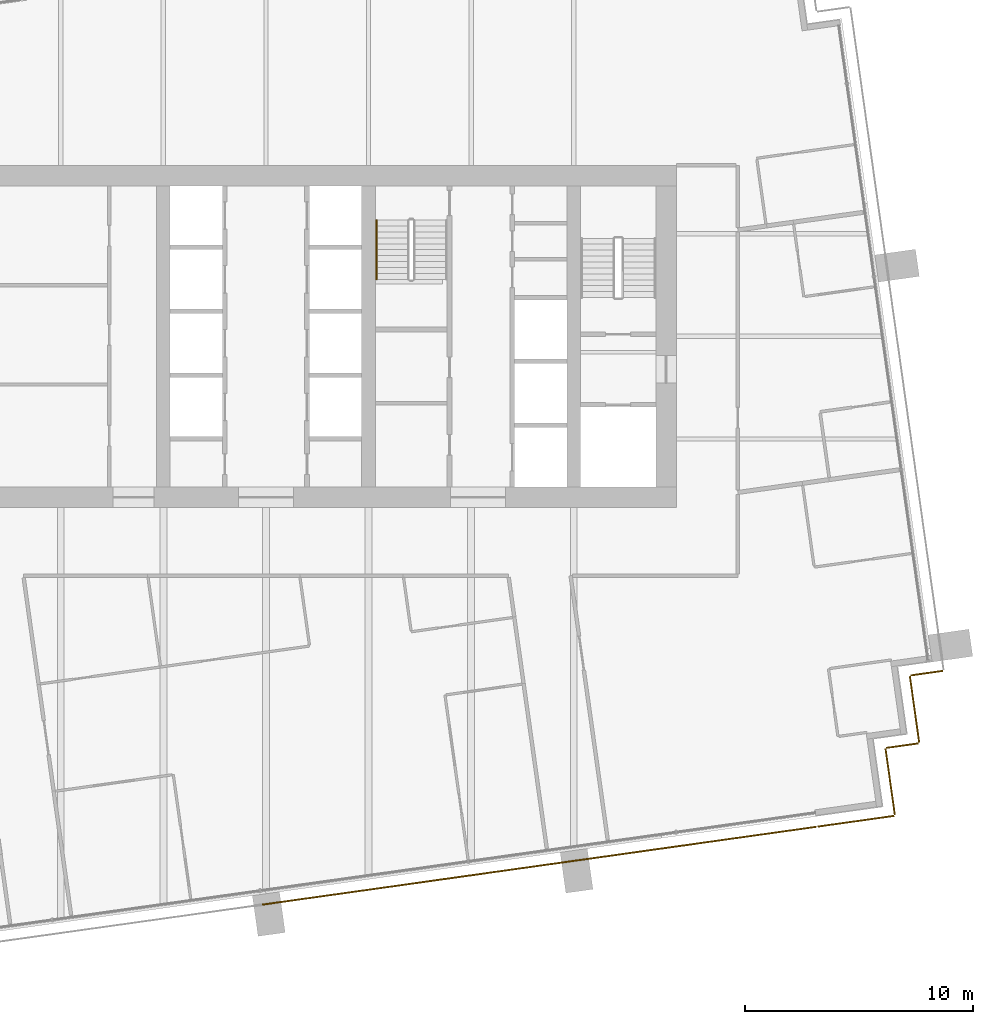
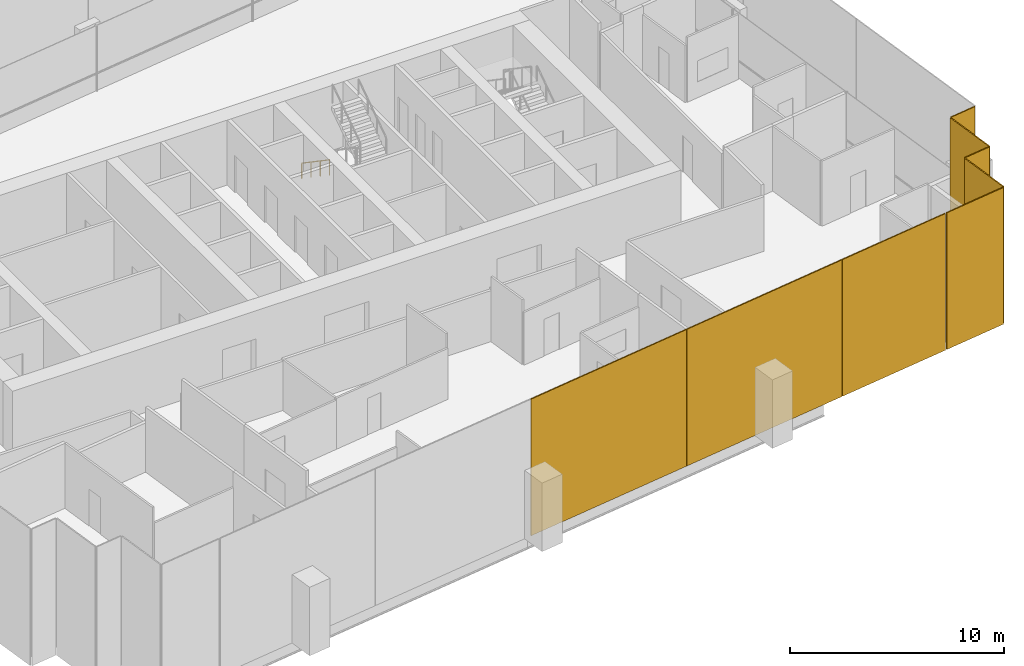
# One storey, part 14 of 17: 8 coverings, 1 railing.
"""IFC4 building model written with IfcOpenShell, lengths in metres."""

from ifc_helpers import new_model, si_unit, direction, frame, origin, origin_2d, place, context, subcontext, project, spatial, rectangle, extrude, material, layer, layer_set, type_object, element, save


model = new_model("IFC4")

# Units and contexts
model_context = context("Model", 3, precision=1e-05, world=origin(), true_north=direction((0.0, 1.0)))
body_context = subcontext(model_context, "Body", "Model", "MODEL_VIEW")
ifc_project = project(units=[si_unit("LENGTHUNIT", "METRE"), si_unit("AREAUNIT", "SQUARE_METRE"), si_unit("VOLUMEUNIT", "CUBIC_METRE"), si_unit("PLANEANGLEUNIT", "RADIAN"), si_unit("MASSUNIT", "GRAM", prefix="KILO")], contexts=[model_context])

# Site, building, storey
site_placement = place(None, origin())
site = spatial("IfcSite", under=ifc_project, at=site_placement, CompositionType="ELEMENT")
building_placement = place(site_placement, origin())
building = spatial("IfcBuilding", under=site, at=building_placement, Name="Rattan Terrace Tower", CompositionType="ELEMENT")
storey_placement = place(building_placement, frame((0.0, 0.0, 180.199951171875)))
storey = spatial("IfcBuildingStorey", under=building, at=storey_placement, Name="L41", CompositionType="ELEMENT", Elevation=180.199951171875)

# Railing
ifc_material_1 = material(Name="Powder-coated steel handrail", Category="steel")
railing_type = type_object("IfcRailingType", Name="Core stair handrail", PredefinedType="HANDRAIL", material=ifc_material_1)
railing_placement = place(storey_placement, frame((4.85009765625, 5.10009765625, 0.17724609375)))
element("IfcRailing", 1, at=railing_placement, inside=storey, type_object=railing_type, Name="L41 S3 stair handrail 1", PredefinedType="HANDRAIL", context=body_context, shape_type="SweptSolid", body=[
    extrude(rectangle(XDim=0.048095703125, YDim=0.048095703125, at=origin_2d()), frame((0.0, 0.0, 0.8759765625), z_axis=(0.0, -0.826240473404, 0.563317565952), x_axis=(1.0, 0.0, 0.0)), (0.0, 0.0, 1.0), 3.14697265625),
    extrude(rectangle(XDim=0.0419921875, YDim=0.0419921875, at=origin_2d()), origin(), (0.0, 0.0, 1.0), 0.851806640625),
    extrude(rectangle(XDim=0.0419921875, YDim=0.0419921875, at=origin_2d()), frame((0.0, -0.86669921875, 0.5908203125)), (0.0, 0.0, 1.0), 0.851806640625),
    extrude(rectangle(XDim=0.0419921875, YDim=0.0419921875, at=origin_2d()), frame((0.0, -1.7333984375, 1.181884765625)), (0.0, 0.0, 1.0), 0.851806640625),
    extrude(rectangle(XDim=0.0419921875, YDim=0.0419921875, at=origin_2d()), frame((0.0, -2.60009765625, 1.772705078125)), (0.0, 0.0, 1.0), 0.851806640625),
])

# Coverings
ifc_material_2 = material(Name="Perforated terracotta", Category="masonry")
ifc_layer = layer(ifc_material_2, 0.06005859375)
ifc_layer_set = layer_set([ifc_layer], Name="Facade Terracotta Screen Panel")
covering_type = type_object("IfcCoveringType", Name="Facade Terracotta Screen Panel", PredefinedType="CLADDING", material=ifc_layer_set)
covering_1_placement = place(storey_placement, frame((25.8798828125, -21.266357421875, -0.18994140625), z_axis=(0.0, 0.0, 1.0), x_axis=(0.990247240581, 0.139321220646, 0.0)))
element("IfcCovering", 2, at=covering_1_placement, inside=storey, type_object=covering_type, Name="OUTER SKIN panel L41-1", PredefinedType="CLADDING", context=body_context, shape_type="SweptSolid", body=[
    extrude(rectangle(XDim=3.370361328125, YDim=0.06005859375, at=origin_2d()), origin(), (0.0, 0.0, 1.0), 7.780029296875),
])
covering_2_placement = place(storey_placement, frame((27.37939453125, -19.54052734375, -0.18994140625), z_axis=(0.0, 0.0, 1.0), x_axis=(-0.139321220646, 0.990247240581, 0.0)))
element("IfcCovering", 3, at=covering_2_placement, inside=storey, type_object=covering_type, Name="OUTER SKIN panel L41-2", PredefinedType="CLADDING", context=body_context, shape_type="SweptSolid", body=[
    extrude(rectangle(XDim=2.919921875, YDim=0.06005859375, at=origin_2d()), origin(), (0.0, 0.0, 1.0), 7.780029296875),
])
covering_3_placement = place(storey_placement, frame((27.913330078125, -17.951171875, -0.18994140625), z_axis=(0.0, 0.0, 1.0), x_axis=(0.990345406709, 0.138621698915, 0.0)))
element("IfcCovering", 4, at=covering_3_placement, inside=storey, type_object=covering_type, Name="OUTER SKIN panel L41-3", PredefinedType="CLADDING", context=body_context, shape_type="SweptSolid", body=[
    extrude(rectangle(XDim=1.42041015625, YDim=0.06005859375, at=origin_2d()), origin(), (0.0, 0.0, 1.0), 7.780029296875),
])
covering_4_placement = place(storey_placement, frame((28.447265625, -16.361572265625, -0.18994140625), z_axis=(0.0, 0.0, 1.0), x_axis=(-0.139321220646, 0.990247240581, 0.0)))
element("IfcCovering", 5, at=covering_4_placement, inside=storey, type_object=covering_type, Name="OUTER SKIN panel L41-4", PredefinedType="CLADDING", context=body_context, shape_type="SweptSolid", body=[
    extrude(rectangle(XDim=2.920654296875, YDim=0.06005859375, at=origin_2d()), origin(), (0.0, 0.0, 1.0), 7.780029296875),
])
covering_5_placement = place(storey_placement, frame((28.981201171875, -14.771484375, -0.18994140625), z_axis=(0.0, 0.0, 1.0), x_axis=(0.99025370695, 0.139275252184, 0.0)))
element("IfcCovering", 6, at=covering_5_placement, inside=storey, type_object=covering_type, Name="OUTER SKIN panel L41-5", PredefinedType="CLADDING", context=body_context, shape_type="SweptSolid", body=[
    extrude(rectangle(XDim=1.420654296875, YDim=0.06005859375, at=origin_2d()), origin(), (0.0, 0.0, 1.0), 7.780029296875),
])
for number, where, z_axis, x_axis, name in (
    (7, (4.39794921875, -24.285400390625, -0.18994140625), (0.0, 0.0, 1.0), (0.990269702686, 0.139161474347, 0.0), "OUTER SKIN panel L41-36"),
    (8, (13.521484375, -23.003173828125, -0.18994140625), (0.0, 0.0, 1.0), (0.990269702686, 0.139161474347, 0.0), "OUTER SKIN panel L41-37"),
):
    element("IfcCovering", number, at=place(storey_placement, frame(where, z_axis=z_axis, x_axis=x_axis)), inside=storey, type_object=covering_type, Name=name, PredefinedType="CLADDING", context=body_context, shape_type="SweptSolid", body=[
        extrude(rectangle(XDim=9.193115234375, YDim=0.06005859375, at=origin_2d()), origin(), (0.0, 0.0, 1.0), 7.780029296875),
    ])
covering_6_placement = place(storey_placement, frame((21.112548828125, -21.9365234375, -0.18994140625), z_axis=(0.0, 0.0, 1.0), x_axis=(0.990269702686, 0.139161474347, 0.0)))
element("IfcCovering", 9, at=covering_6_placement, inside=storey, type_object=covering_type, Name="OUTER SKIN panel L41-38", PredefinedType="CLADDING", context=body_context, shape_type="SweptSolid", body=[
    extrude(rectangle(XDim=6.098388671875, YDim=0.06005859375, at=origin_2d()), origin(), (0.0, 0.0, 1.0), 7.780029296875),
])

save(model, "model.ifc")
